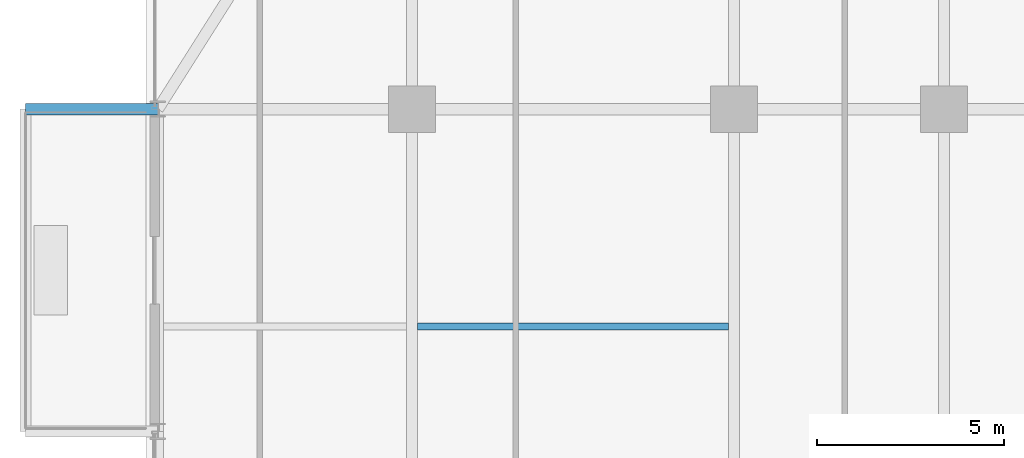
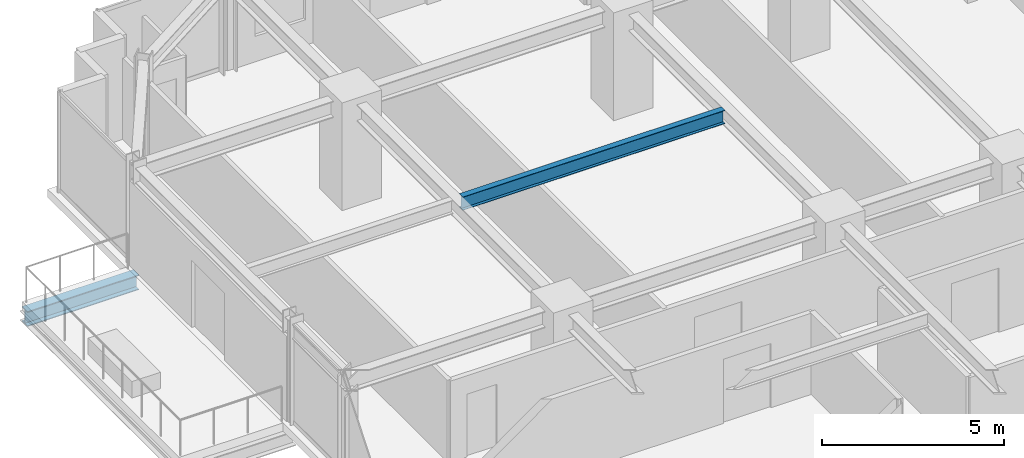
# One storey, part 17 of 35: 2 beams.
"""IFC4 building model written with IfcOpenShell, lengths in metres."""

import ifcopenshell
import ifcopenshell.guid

model = None  # the IFC model being written
_history = None  # IfcOwnerHistory: only IFC2X3 demands one
_inside = {}  # id of a spatial element -> (the spatial element, [elements in it])
_under = {}  # id of a project, library or spatial element -> (it, [spatial elements below it])
_declared = {}  # id of a project -> (the project, [libraries it declares])
_typed = {}  # id of a type object -> (the type object, [elements of that type])
_made_of = {}  # id of a material, layer set ... -> (it, [elements and type objects made of it])


def new_model(schema):
    """Start an empty IFC model of exactly this schema.

    Asked for "IFC4X3", IfcOpenShell would pick the latest addendum, in which some entities
    have other attributes; the version numbers below select the first issue.
    IFC2X3 requires an IfcOwnerHistory on every rooted entity: one is made here for all.
    """
    global model, _history
    if schema == "IFC4X3":
        model = ifcopenshell.file(schema_version=(4, 3, 0, 0))
    else:
        model = ifcopenshell.file(schema=schema)
    _inside.clear()
    _under.clear()
    _declared.clear()
    _typed.clear()
    _made_of.clear()
    _history = None
    if model.schema == "IFC2X3":
        org = make("IfcOrganization", Name="unknown")
        user = make(
            "IfcPersonAndOrganization",
            ThePerson=make("IfcPerson", FamilyName="unknown"),
            TheOrganization=org,
        )
        app = make(
            "IfcApplication",
            ApplicationDeveloper=org,
            Version="unknown",
            ApplicationFullName="unknown",
            ApplicationIdentifier="unknown",
        )
        _history = make(
            "IfcOwnerHistory",
            OwningUser=user,
            OwningApplication=app,
            ChangeAction="ADDED",
            CreationDate=0,
        )
    return model


def make(cls, **values):
    """One entity of the class cls with the attributes given. An attribute that is None is left unset."""
    return model.create_entity(
        cls, **{name: value for name, value in values.items() if value is not None}
    )


def rooted(cls, **values):
    """An entity with a GlobalId (a new one), such as an element, a storey or a relation."""
    return make(cls, GlobalId=ifcopenshell.guid.new(), OwnerHistory=_history, **values)


def si_unit(unit_type, name, prefix=None):
    """IfcSIUnit, for example si_unit("LENGTHUNIT", "METRE", prefix="MILLI")."""
    return make("IfcSIUnit", UnitType=unit_type, Prefix=prefix, Name=name)


def assignment(units):
    """IfcUnitAssignment: the units of a project."""
    return None if units is None else make("IfcUnitAssignment", Units=units)


def point(xyz):
    """IfcCartesianPoint."""
    return None if xyz is None else make("IfcCartesianPoint", Coordinates=xyz)


def direction(xyz):
    """IfcDirection."""
    return None if xyz is None else make("IfcDirection", DirectionRatios=xyz)


def frame(location, z_axis=None, x_axis=None):
    """IfcAxis2Placement3D, a coordinate frame: its origin and axes. An axis left out is left unset."""
    return make(
        "IfcAxis2Placement3D",
        Location=point(location),
        Axis=direction(z_axis),
        RefDirection=direction(x_axis),
    )


def frame_2d(location, x_axis=None):
    """IfcAxis2Placement2D, a coordinate frame in the plane: its origin and x axis."""
    return make(
        "IfcAxis2Placement2D", Location=point(location), RefDirection=direction(x_axis)
    )


def origin():
    """The frame at (0, 0, 0) with its axes left unset."""
    return frame((0.0, 0.0, 0.0))


def origin_2d():
    """The frame at (0, 0) in the plane with its x axis left unset."""
    return frame_2d((0.0, 0.0))


def place(relative_to, where):
    """IfcLocalPlacement: puts the frame where relative to a parent placement (None: the world)."""
    return make(
        "IfcLocalPlacement", PlacementRelTo=relative_to, RelativePlacement=where
    )


def context(
    kind, dimensions, precision=None, world=None, true_north=None, identifier=None
):
    """IfcGeometricRepresentationContext, for example the 3D "Model" context."""
    return make(
        "IfcGeometricRepresentationContext",
        ContextIdentifier=identifier,
        ContextType=kind,
        CoordinateSpaceDimension=dimensions,
        Precision=precision,
        WorldCoordinateSystem=world,
        TrueNorth=true_north,
    )


def subcontext(parent, identifier, kind, view, scale=None):
    """IfcGeometricRepresentationSubContext, for example "Body" below "Model"."""
    return make(
        "IfcGeometricRepresentationSubContext",
        ContextIdentifier=identifier,
        ContextType=kind,
        ParentContext=parent,
        TargetScale=scale,
        TargetView=view,
    )


def project(units=None, contexts=None):
    """IfcProject with its units and contexts."""
    return rooted(
        "IfcProject",
        Name="project",
        RepresentationContexts=contexts,
        UnitsInContext=assignment(units),
    )


def spatial(cls, under=None, at=None, **own):
    """A site, building, storey or space (cls), placed at a placement, below another one or the project."""
    s = rooted(cls, ObjectPlacement=at, **own)
    if under is not None:
        _under.setdefault(under.id(), (under, []))[1].append(s)
    return s


def profile(cls, at=None, kind="AREA", **sizes):
    """A parametric profile (cls). Its sizes go by their IFC names, for example OverallWidth=200.0."""
    return make(cls, ProfileType=kind, Position=at, **sizes)


def i_section(**sizes):
    """IfcIShapeProfileDef."""
    return profile("IfcIShapeProfileDef", **sizes)


def extrude(swept, where, along, depth):
    """IfcExtrudedAreaSolid: the profile swept, set in the frame where, extruded along a direction by depth."""
    return make(
        "IfcExtrudedAreaSolid",
        SweptArea=swept,
        Position=where,
        ExtrudedDirection=direction(along),
        Depth=depth,
    )


def shape(context_of_items, identifier, shape_type, items):
    """IfcShapeRepresentation: the items that make up one representation, for example the "Body"."""
    return make(
        "IfcShapeRepresentation",
        ContextOfItems=context_of_items,
        RepresentationIdentifier=identifier,
        RepresentationType=shape_type,
        Items=items,
    )


def source(mapping_origin, context_of_items, identifier, shape_type, items):
    """IfcRepresentationMap: a shape defined once, which mapped items show again and again."""
    return make(
        "IfcRepresentationMap",
        MappingOrigin=mapping_origin,
        MappedRepresentation=shape(context_of_items, identifier, shape_type, items),
    )


def transform(
    local_origin,
    x_axis=None,
    y_axis=None,
    z_axis=None,
    scale=None,
    scale2=None,
    scale3=None,
    uniform=True,
):
    """IfcCartesianTransformationOperator3D, or its non-uniform kind. x_axis, y_axis, z_axis: its Axis1, 2, 3."""
    if uniform:
        return make(
            "IfcCartesianTransformationOperator3D",
            Axis1=direction(x_axis),
            Axis2=direction(y_axis),
            LocalOrigin=point(local_origin),
            Scale=scale,
            Axis3=direction(z_axis),
        )
    return make(
        "IfcCartesianTransformationOperator3DnonUniform",
        Axis1=direction(x_axis),
        Axis2=direction(y_axis),
        LocalOrigin=point(local_origin),
        Scale=scale,
        Axis3=direction(z_axis),
        Scale2=scale2,
        Scale3=scale3,
    )


def mapped(mapping_source, mapping_target):
    """IfcMappedItem: shows the shape of a source again, moved by a transform."""
    return make(
        "IfcMappedItem", MappingSource=mapping_source, MappingTarget=mapping_target
    )


def material(Name=None, Category=None):
    """IfcMaterial."""
    return make("IfcMaterial", Name=Name, Category=Category)


def material_profile(
    of_material, cross_section, Name=None, Category=None, Priority=None
):
    """IfcMaterialProfile: a cross section and its material."""
    return make(
        "IfcMaterialProfile",
        Name=Name,
        Material=of_material,
        Profile=cross_section,
        Priority=Priority,
        Category=Category,
    )


def profile_set(profiles, Name=None, composite=None):
    """IfcMaterialProfileSet."""
    return make(
        "IfcMaterialProfileSet",
        Name=Name,
        MaterialProfiles=profiles,
        CompositeProfile=composite,
    )


def made_of(thing, what):
    """Note that an element or type object is made of a material, layer set ...; save() writes the relation."""
    if what is not None:
        _made_of.setdefault(what.id(), (what, []))[1].append(thing)
    return thing


def type_object(cls, material=None, **own):
    """A type object (cls), such as IfcWallType, which elements share."""
    return made_of(rooted(cls, **own), material)


def element(
    cls,
    number,
    at=None,
    inside=None,
    cuts=None,
    type_object=None,
    material=None,
    context=None,
    identifier="Body",
    shape_type=None,
    held_by="IfcProductDefinitionShape",
    body=None,
    shapes=None,
    **own,
):
    """One element of the class cls, such as IfcWall. Its Tag is "e" and its number.

    at: its placement. inside: the storey or other place that contains it. cuts: it is an
    opening in that element (IfcRelVoidsElement). A single representation is given by context,
    identifier, shape_type and body (its items); several are given by shapes. held_by: the class
    of the entity that holds the representations. save() writes the other relations.
    """
    e = rooted(cls, Tag="e%d" % number, ObjectPlacement=at, **own)
    if body is not None:
        shapes = [shape(context, identifier, shape_type, body)]
    if shapes is not None:
        e.Representation = make(held_by, Representations=shapes)
    if inside is not None:
        _inside.setdefault(inside.id(), (inside, []))[1].append(e)
    if cuts is not None:
        rooted(
            "IfcRelVoidsElement", RelatingBuildingElement=cuts, RelatedOpeningElement=e
        )
    if type_object is not None:
        _typed.setdefault(type_object.id(), (type_object, []))[1].append(e)
    return made_of(e, material)


def aggregate(whole, parts):
    """IfcRelAggregates: a whole, such as a stair, and the parts it consists of."""
    return rooted("IfcRelAggregates", RelatingObject=whole, RelatedObjects=parts)


def save(model, path):
    """Write the relations noted so far, then the file.

    IfcRelAggregates (storeys below a building ...), IfcRelContainedInSpatialStructure (elements
    in a storey), IfcRelDefinesByType, IfcRelAssociatesMaterial and IfcRelDeclares: one each for
    every whole, place, type object, material and project.
    """
    for whole, parts in _under.values():
        aggregate(whole, parts)
    for where, things in _inside.values():
        rooted(
            "IfcRelContainedInSpatialStructure",
            RelatedElements=things,
            RelatingStructure=where,
        )
    for kind, things in _typed.values():
        rooted("IfcRelDefinesByType", RelatedObjects=things, RelatingType=kind)
    for what, things in _made_of.values():
        rooted("IfcRelAssociatesMaterial", RelatedObjects=things, RelatingMaterial=what)
    for by, libraries in _declared.values():
        rooted("IfcRelDeclares", RelatingContext=by, RelatedDefinitions=libraries)
    model.write(path)


model = new_model("IFC4")

# Units and contexts
model_context = context("Model", 3, precision=1e-05, world=origin(), true_north=direction((0.0, 1.0)))
body_context = subcontext(model_context, "Body", "Model", "MODEL_VIEW")
ifc_project = project(units=[si_unit("LENGTHUNIT", "METRE"), si_unit("AREAUNIT", "SQUARE_METRE"), si_unit("VOLUMEUNIT", "CUBIC_METRE"), si_unit("PLANEANGLEUNIT", "RADIAN"), si_unit("MASSUNIT", "GRAM", prefix="KILO")], contexts=[model_context])

# Site, building, storey
site_placement = place(None, origin())
site = spatial("IfcSite", under=ifc_project, at=site_placement, CompositionType="ELEMENT")
building_placement = place(site_placement, origin())
building = spatial("IfcBuilding", under=site, at=building_placement, Name="Nahalor Promenade Grand Hotel", CompositionType="ELEMENT")
storey_placement = place(building_placement, frame((0.0, 0.0, 106.550048828125)))
storey = spatial("IfcBuildingStorey", under=building, at=storey_placement, Name="L26", CompositionType="ELEMENT", Elevation=106.550048828125)

# Beams
ifc_material = material(Name="Steel S355JR", Category="steel")
ifc_material_profile_1 = material_profile(ifc_material, i_section(OverallWidth=0.3, OverallDepth=0.5, WebThickness=0.0145, FlangeThickness=0.028, at=origin_2d()), Name="HEB 500")
ifc_profile_set_1 = profile_set([ifc_material_profile_1], Name="Steel S355JR")
beam_type_1 = type_object("IfcBeamType", Name="Beam-Outrigger-HEB500", PredefinedType="BEAM", material=ifc_profile_set_1)
shared_shape_1 = source(origin(), body_context, "Body", "SweptSolid", [
    extrude(i_section(OverallWidth=0.3, OverallDepth=0.5, WebThickness=0.0145, FlangeThickness=0.028, at=origin_2d()), origin(), (0.0, 0.0, 1.0), 3.530029296875),
])
beam_1_placement = place(storey_placement, frame((-27.31005859375, 17.0, -0.530029296875), z_axis=(1.0, 0.0, 0.0), x_axis=(0.0, 1.0, 0.0)))
element("IfcBeam", 1, at=beam_1_placement, inside=storey, type_object=beam_type_1, Name="BM-L26-BC-02-2", PredefinedType="BEAM", context=body_context, shape_type="MappedRepresentation", body=[
    mapped(shared_shape_1, transform((0.0, 0.0, 0.0), scale=1.0)),
])
ifc_material_profile_2 = material_profile(ifc_material, i_section(OverallWidth=0.19, OverallDepth=0.45, WebThickness=0.0094, FlangeThickness=0.0146, at=origin_2d()), Name="IPE 450")
ifc_profile_set_2 = profile_set([ifc_material_profile_2], Name="Steel S355JR")
beam_type_2 = type_object("IfcBeamType", Name="Beam-Joist-IPE450", PredefinedType="JOIST", material=ifc_profile_set_2)
shared_shape_2 = source(origin(), body_context, "Body", "SweptSolid", [
    extrude(i_section(OverallWidth=0.19, OverallDepth=0.45, WebThickness=0.0094, FlangeThickness=0.0146, at=origin_2d()), origin(), (0.0, 0.0, 1.0), 8.300048828125),
])
beam_2_placement = place(storey_placement, frame((-16.85009765625, 11.199951171875, 3.155029296875), z_axis=(1.0, 0.0, 0.0), x_axis=(0.0, 1.0, 0.0)))
element("IfcBeam", 2, at=beam_2_placement, inside=storey, type_object=beam_type_2, Name="BM-L26-JSW-1-1", PredefinedType="JOIST", context=body_context, shape_type="MappedRepresentation", body=[
    mapped(shared_shape_2, transform((0.0, 0.0, 0.0), scale=1.0)),
])

save(model, "model.ifc")
